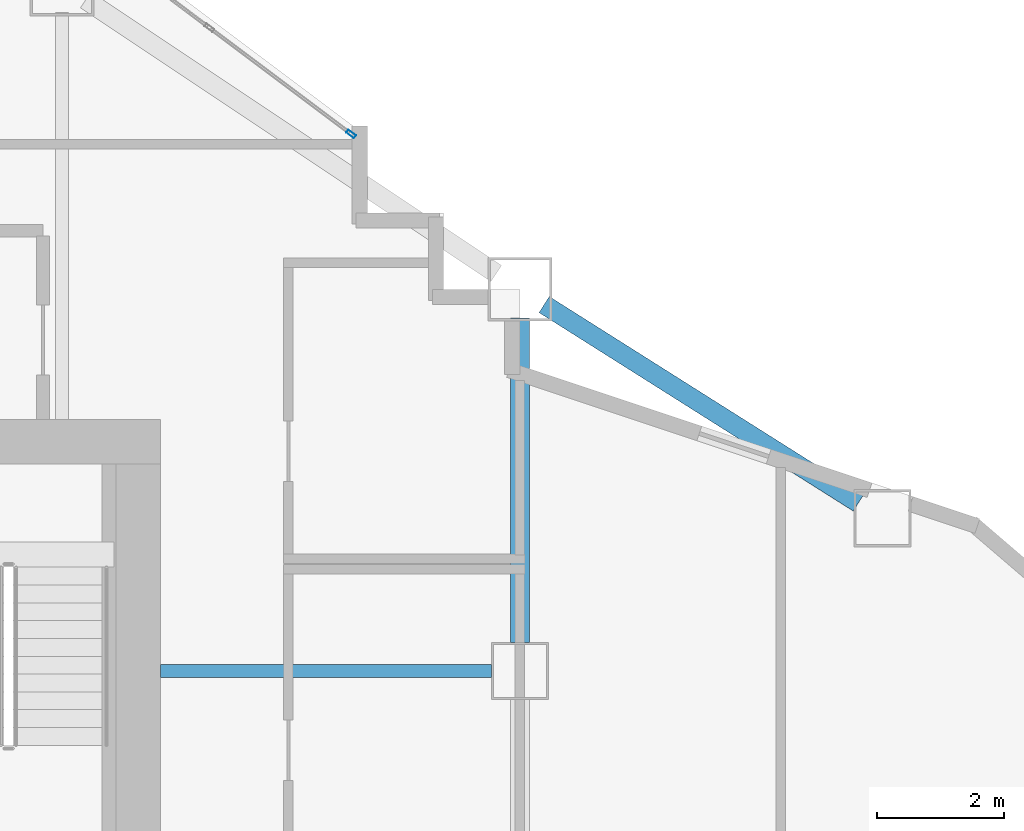
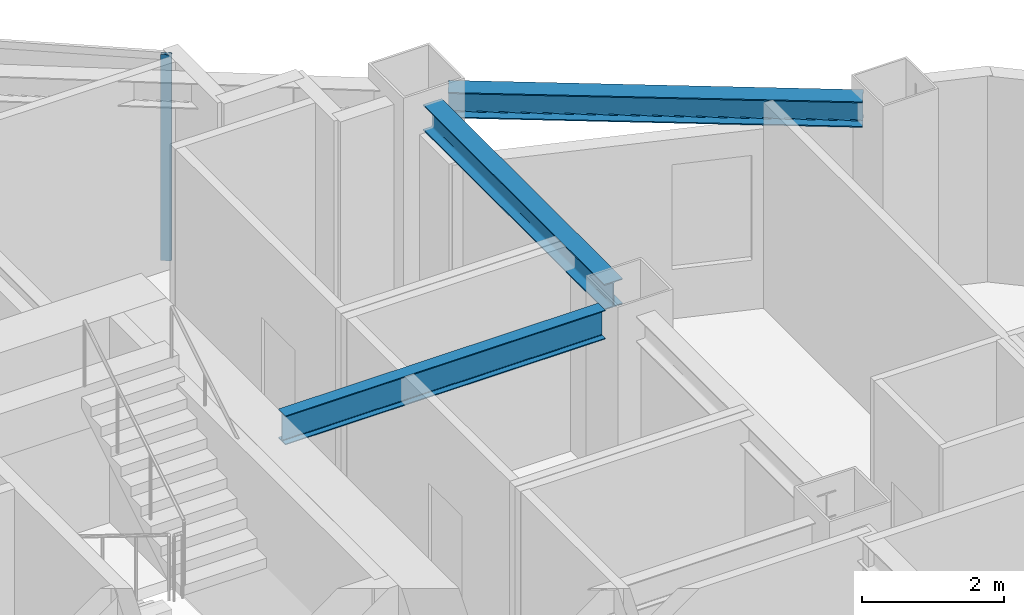
# One storey, part 5 of 15: 3 beams, 1 member, 1 element without a shape of its own.
"""IFC4 building model written with IfcOpenShell, lengths in metres."""

from ifc_helpers import new_model, si_unit, direction, frame, origin, origin_2d, place, context, subcontext, project, spatial, hollow_rectangle, i_section, extrude, material, layer, layer_set, material_profile, profile_set, type_object, element, aggregate, save


model = new_model("IFC4")

# Units and contexts
model_context = context("Model", 3, precision=1e-05, world=origin(), true_north=direction((0.0, 1.0)))
body_context = subcontext(model_context, "Body", "Model", "MODEL_VIEW")
ifc_project = project(units=[si_unit("LENGTHUNIT", "METRE"), si_unit("AREAUNIT", "SQUARE_METRE"), si_unit("VOLUMEUNIT", "CUBIC_METRE"), si_unit("PLANEANGLEUNIT", "RADIAN"), si_unit("MASSUNIT", "GRAM", prefix="KILO")], contexts=[model_context])

# Site, building, storey
site_placement = place(None, origin())
site = spatial("IfcSite", under=ifc_project, at=site_placement, CompositionType="ELEMENT")
building_placement = place(site_placement, origin())
building = spatial("IfcBuilding", under=site, at=building_placement, Name="Haolan Belvedere Tower", CompositionType="ELEMENT")
storey_placement = place(building_placement, frame((0.0, 0.0, 156.199951171875)))
storey = spatial("IfcBuildingStorey", under=building, at=storey_placement, Name="L39", CompositionType="ELEMENT", Elevation=156.199951171875)

# Beams
ifc_material_1 = material(Name="Steel Q355B", Category="steel")
ifc_material_profile_1 = material_profile(ifc_material_1, i_section(OverallWidth=0.300048828125, OverallDepth=0.43994140625, WebThickness=0.010986328125, FlangeThickness=0.01806640625, FilletRadius=0.02392578125, at=origin_2d()), Name="Steel Q355B")
ifc_profile_set_1 = profile_set([ifc_material_profile_1], Name="Steel Q355B")
beam_type_1 = type_object("IfcBeamType", Name="BM-HM440x300x11x18", PredefinedType="SPANDREL", material=ifc_profile_set_1)
beam_1_placement = place(storey_placement, frame((52.800048828125, 40.050048828125, 3.320068359375), z_axis=(0.0, 1.0, 0.0), x_axis=(-1.0, 0.0, 0.0)))
element("IfcBeam", 1, at=beam_1_placement, inside=storey, type_object=beam_type_1, Name="L39 spandrel girder TC-T3-E2-MC-T3-NE", PredefinedType="SPANDREL", context=body_context, shape_type="SweptSolid", body=[
    extrude(i_section(OverallWidth=0.300048828125, OverallDepth=0.43994140625, WebThickness=0.010986328125, FlangeThickness=0.01806640625, FilletRadius=0.02392578125, at=origin_2d()), origin(), (0.0, 0.0, 1.0), 5.099853515625),
])
beam_2_placement = place(storey_placement, frame((53.180419921875, 45.359619140625, 3.320068359375), z_axis=(0.845497840649, -0.533978839898, 0.0), x_axis=(0.533978839898, 0.845497840649, 0.0)))
element("IfcBeam", 2, at=beam_2_placement, inside=storey, type_object=beam_type_1, Name="L39 spandrel girder MC-T3-NE-TC-T4-N1", PredefinedType="SPANDREL", context=body_context, shape_type="SweptSolid", body=[
    extrude(i_section(OverallWidth=0.300048828125, OverallDepth=0.43994140625, WebThickness=0.010986328125, FlangeThickness=0.01806640625, FilletRadius=0.02392578125, at=origin_2d()), origin(), (0.0, 0.0, 1.0), 5.841796875),
])
ifc_material_profile_2 = material_profile(ifc_material_1, i_section(OverallWidth=0.199951171875, OverallDepth=0.5, WebThickness=0.010009765625, FlangeThickness=0.01611328125, FilletRadius=0.02001953125, at=origin_2d()), Name="Steel Q355B")
ifc_profile_set_2 = profile_set([ifc_material_profile_2], Name="Steel Q355B")
beam_type_2 = type_object("IfcBeamType", Name="BM-HN500x200x10x16", PredefinedType="BEAM", material=ifc_profile_set_2)
beam_3_placement = place(storey_placement, frame((52.35009765625, 39.60009765625, 3.2900390625), z_axis=(-1.0, 0.0, 0.0), x_axis=(0.0, -1.0, 0.0)))
element("IfcBeam", 3, at=beam_3_placement, inside=storey, type_object=beam_type_2, Name="L39 core tie beam from TC-T3-E2", PredefinedType="BEAM", context=body_context, shape_type="SweptSolid", body=[
    extrude(i_section(OverallWidth=0.199951171875, OverallDepth=0.5, WebThickness=0.010009765625, FlangeThickness=0.01611328125, FilletRadius=0.02001953125, at=origin_2d()), origin(), (0.0, 0.0, 1.0), 5.2001953125),
])

# Curtain wall, member
ifc_material_2 = material(Name="Anodised champagne-silver aluminium 6063-T6 and Low-E glass", Category="aluminium")
ifc_layer = layer(ifc_material_2, 0.155029296875, Name="Anodised champagne-silver aluminium 6063-T6 and Low-E glass")
ifc_layer_set = layer_set([ifc_layer], Name="Anodised champagne-silver aluminium 6063-T6 and Low-E glass")
curtain_wall_type = type_object("IfcCurtainWallType", Name="CW-SYS-03", PredefinedType="NOTDEFINED", material=ifc_layer_set)
curtain_wall_placement = place(storey_placement, origin())
curtain_wall = element("IfcCurtainWall", 4, at=curtain_wall_placement, inside=storey, type_object=curtain_wall_type, Name="L39 CW-SYS-03 ribbon curtain wall 26.1", PredefinedType="NOTDEFINED")
ifc_material_3 = material(Name="Anodised aluminium 6063-T6", Category="aluminium")
ifc_material_profile_3 = material_profile(ifc_material_3, hollow_rectangle(XDim=0.05810546875, YDim=0.155029296875, WallThickness=0.00390625, at=origin_2d()), Name="Anodised aluminium 6063-T6")
ifc_profile_set_3 = profile_set([ifc_material_profile_3], Name="Anodised aluminium 6063-T6")
member_type = type_object("IfcMemberType", Name="CW-SYS-03-MUL", PredefinedType="MULLION", material=ifc_profile_set_3)
member_placement = place(storey_placement, frame((50.144775390625, 48.04150390625, 0.0), z_axis=(0.0, 0.0, 1.0), x_axis=(-0.599994316874, -0.800004262313, 0.0)))
member = element("IfcMember", 5, at=member_placement, type_object=member_type, Name="CW-03 mullion 1", PredefinedType="MULLION", context=body_context, shape_type="SweptSolid", body=[
    extrude(hollow_rectangle(XDim=0.05810546875, YDim=0.155029296875, WallThickness=0.00390625, at=origin_2d()), origin(), (0.0, 0.0, 1.0), 3.5400390625),
])
aggregate(curtain_wall, [member])

save(model, "model.ifc")
